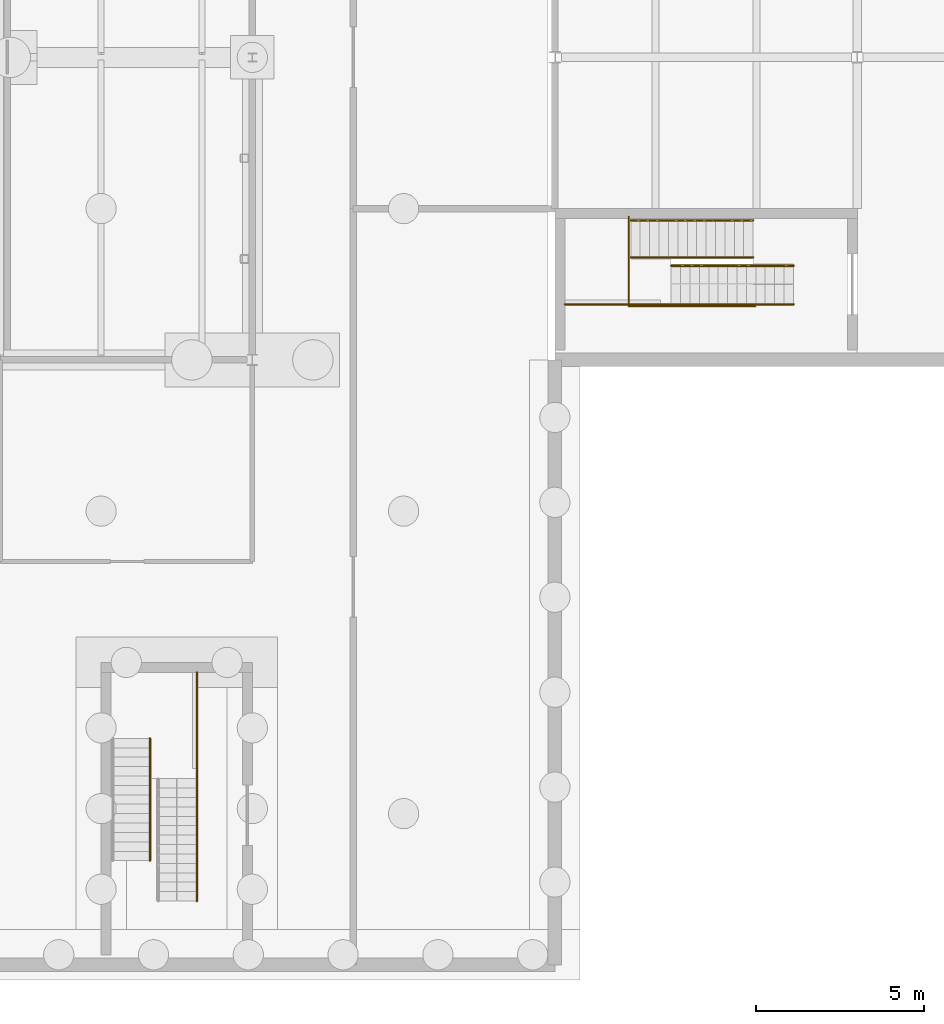
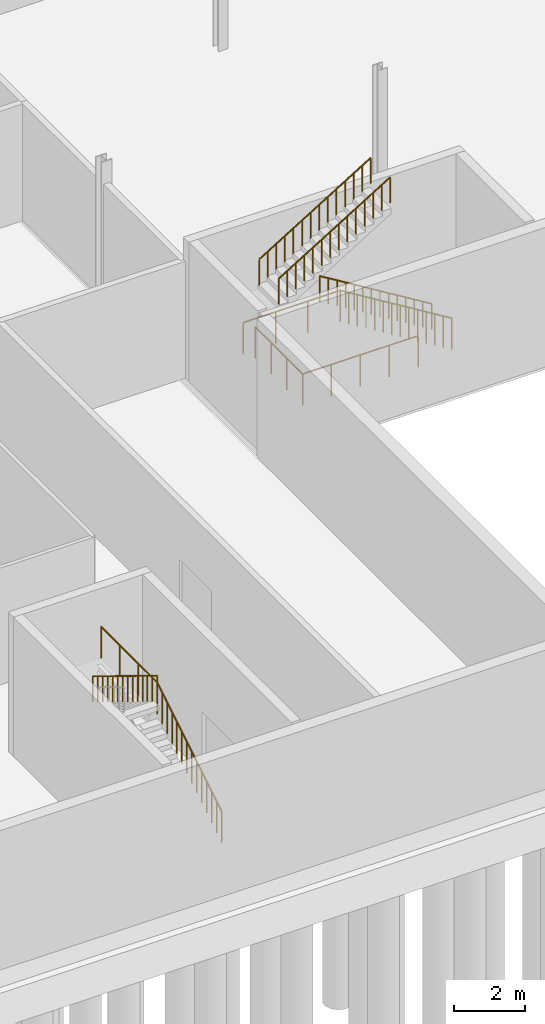
# One storey, part 24 of 31: 9 railings.
"""IFC4 building model written with IfcOpenShell, lengths in metres."""

from ifc_helpers import new_model, si_unit, direction, frame, origin, origin_2d, place, context, subcontext, project, spatial, circle, extrude, material, type_object, element, save


model = new_model("IFC4")

# Units and contexts
model_context = context("Model", 3, precision=1e-05, world=origin(), true_north=direction((0.0, 1.0)))
body_context = subcontext(model_context, "Body", "Model", "MODEL_VIEW")
ifc_project = project(units=[si_unit("LENGTHUNIT", "METRE"), si_unit("AREAUNIT", "SQUARE_METRE"), si_unit("VOLUMEUNIT", "CUBIC_METRE"), si_unit("PLANEANGLEUNIT", "RADIAN"), si_unit("MASSUNIT", "GRAM", prefix="KILO")], contexts=[model_context])

# Site, building, storey
site_placement = place(None, origin())
site = spatial("IfcSite", under=ifc_project, at=site_placement, CompositionType="ELEMENT")
building_placement = place(site_placement, origin())
building = spatial("IfcBuilding", under=site, at=building_placement, Name="Halyard Row Museum", CompositionType="ELEMENT")
storey_placement = place(building_placement, frame((0.0, 0.0, -4.800048828125)))
storey = spatial("IfcBuildingStorey", under=building, at=storey_placement, Name="B1", CompositionType="ELEMENT", Elevation=-4.800048828125)

# Railings
ifc_material_1 = material(Name="Steel Grade 300", Category="steel")
railing_type_1 = type_object("IfcRailingType", Name="Guard GR2 steel balustrade 1100", PredefinedType="GUARDRAIL", material=ifc_material_1)
railing_1_placement = place(storey_placement, frame((34.10009765625, 19.64990234375, 0.17138671875)))
element("IfcRailing", 1, at=railing_1_placement, inside=storey, type_object=railing_type_1, Name="Guard GR029", PredefinedType="GUARDRAIL", context=body_context, shape_type="SweptSolid", body=[
    extrude(circle(Radius=0.02392578125, at=origin_2d()), frame((0.0, 0.0, 1.076171875), z_axis=(-0.852601252411, 0.0, 0.522562057929), x_axis=(0.0, -1.0, 0.0)), (0.0, 0.0, 1.0), 0.328369140625),
    extrude(circle(Radius=0.02392578125, at=origin_2d()), frame((-0.280029296875, 0.0, 1.24755859375), z_axis=(-0.852932391421, 0.0, 0.522021393877), x_axis=(0.0, -1.0, 0.0)), (0.0, 0.0, 1.0), 0.328369140625),
    extrude(circle(Radius=0.02392578125, at=origin_2d()), frame((-0.56005859375, 0.0, 1.4189453125), z_axis=(-0.852932391421, 0.0, 0.522021393877), x_axis=(0.0, -1.0, 0.0)), (0.0, 0.0, 1.0), 0.328369140625),
    extrude(circle(Radius=0.02392578125, at=origin_2d()), frame((-0.840087890625, 0.0, 1.59033203125), z_axis=(-0.852932391421, 0.0, 0.522021393877), x_axis=(0.0, -1.0, 0.0)), (0.0, 0.0, 1.0), 0.328369140625),
    extrude(circle(Radius=0.02392578125, at=origin_2d()), frame((-1.1201171875, 0.0, 1.76171875), z_axis=(-0.852932391421, 0.0, 0.522021393877), x_axis=(0.0, -1.0, 0.0)), (0.0, 0.0, 1.0), 0.328369140625),
    extrude(circle(Radius=0.02392578125, at=origin_2d()), frame((-1.400146484375, 0.0, 1.93310546875), z_axis=(-0.852932391421, 0.0, 0.522021393877), x_axis=(0.0, -1.0, 0.0)), (0.0, 0.0, 1.0), 0.328369140625),
    extrude(circle(Radius=0.02392578125, at=origin_2d()), frame((-1.68017578125, 0.0, 2.1044921875), z_axis=(-0.852601252411, 0.0, 0.522562057929), x_axis=(0.0, -1.0, 0.0)), (0.0, 0.0, 1.0), 0.328369140625),
    extrude(circle(Radius=0.02392578125, at=origin_2d()), frame((-1.960205078125, 0.0, 2.2763671875), z_axis=(-0.852729557261, 0.0, 0.522352660731), x_axis=(0.0, -1.0, 0.0)), (0.0, 0.0, 1.0), 0.328125),
    extrude(circle(Radius=0.02392578125, at=origin_2d()), frame((-2.239990234375, 0.0, 2.44775390625), z_axis=(-0.852932391421, 0.0, 0.522021393877), x_axis=(0.0, -1.0, 0.0)), (0.0, 0.0, 1.0), 0.328369140625),
    extrude(circle(Radius=0.02392578125, at=origin_2d()), frame((-2.52001953125, 0.0, 2.619140625), z_axis=(-0.852932391421, 0.0, 0.522021393877), x_axis=(0.0, -1.0, 0.0)), (0.0, 0.0, 1.0), 0.328369140625),
    extrude(circle(Radius=0.02392578125, at=origin_2d()), frame((-2.800048828125, 0.0, 2.79052734375), z_axis=(-0.852932391421, 0.0, 0.522021393877), x_axis=(0.0, -1.0, 0.0)), (0.0, 0.0, 1.0), 0.328369140625),
    extrude(circle(Radius=0.02392578125, at=origin_2d()), frame((-3.080078125, 0.0, 2.9619140625), z_axis=(-0.852932391421, 0.0, 0.522021393877), x_axis=(0.0, -1.0, 0.0)), (0.0, 0.0, 1.0), 0.328369140625),
    extrude(circle(Radius=0.02392578125, at=origin_2d()), frame((-3.360107421875, 0.0, 3.13330078125), z_axis=(-0.852601252411, 0.0, 0.522562057929), x_axis=(0.0, -1.0, 0.0)), (0.0, 0.0, 1.0), 0.328369140625),
    extrude(circle(Radius=0.02099609375, at=origin_2d()), origin(), (0.0, 0.0, 1.0), 1.052001953125),
    extrude(circle(Radius=0.02099609375, at=origin_2d()), frame((-0.280029296875, 0.0, 0.171630859375)), (0.0, 0.0, 1.0), 1.052001953125),
    extrude(circle(Radius=0.02099609375, at=origin_2d()), frame((-0.56005859375, 0.0, 0.343017578125)), (0.0, 0.0, 1.0), 1.052001953125),
    extrude(circle(Radius=0.02099609375, at=origin_2d()), frame((-0.840087890625, 0.0, 0.514404296875)), (0.0, 0.0, 1.0), 1.052001953125),
    extrude(circle(Radius=0.02099609375, at=origin_2d()), frame((-1.1201171875, 0.0, 0.685791015625)), (0.0, 0.0, 1.0), 1.052001953125),
    extrude(circle(Radius=0.02099609375, at=origin_2d()), frame((-1.400146484375, 0.0, 0.857177734375)), (0.0, 0.0, 1.0), 1.052001953125),
    extrude(circle(Radius=0.02099609375, at=origin_2d()), frame((-1.68017578125, 0.0, 1.028564453125)), (0.0, 0.0, 1.0), 1.052001953125),
    extrude(circle(Radius=0.02099609375, at=origin_2d()), frame((-1.960205078125, 0.0, 1.2001953125)), (0.0, 0.0, 1.0), 1.052001953125),
    extrude(circle(Radius=0.02099609375, at=origin_2d()), frame((-2.239990234375, 0.0, 1.37158203125)), (0.0, 0.0, 1.0), 1.052001953125),
    extrude(circle(Radius=0.02099609375, at=origin_2d()), frame((-2.52001953125, 0.0, 1.54296875)), (0.0, 0.0, 1.0), 1.052001953125),
    extrude(circle(Radius=0.02099609375, at=origin_2d()), frame((-2.800048828125, 0.0, 1.71435546875)), (0.0, 0.0, 1.0), 1.052001953125),
    extrude(circle(Radius=0.02099609375, at=origin_2d()), frame((-3.080078125, 0.0, 1.8857421875)), (0.0, 0.0, 1.0), 1.052001953125),
    extrude(circle(Radius=0.02099609375, at=origin_2d()), frame((-3.360107421875, 0.0, 2.05712890625)), (0.0, 0.0, 1.0), 1.052001953125),
    extrude(circle(Radius=0.02099609375, at=origin_2d()), frame((-3.64013671875, 0.0, 2.228759765625)), (0.0, 0.0, 1.0), 1.052001953125),
])
railing_2_placement = place(storey_placement, frame((30.4599609375, 19.64990234375, 2.400146484375)))
element("IfcRailing", 2, at=railing_2_placement, inside=storey, type_object=railing_type_1, Name="Guard GR030", PredefinedType="GUARDRAIL", context=body_context, shape_type="SweptSolid", body=[
    extrude(circle(Radius=0.02392578125, at=origin_2d()), frame((0.0, 0.0, 1.076171875), z_axis=(-1.0, 0.0, 0.0), x_axis=(0.0, -1.0, 0.0)), (0.0, 0.0, 1.0), 3.159912109375),
    extrude(circle(Radius=0.02099609375, at=origin_2d()), origin(), (0.0, 0.0, 1.0), 1.052001953125),
    extrude(circle(Radius=0.02099609375, at=origin_2d()), frame((-1.05322265625, 0.0, 0.0)), (0.0, 0.0, 1.0), 1.052001953125),
    extrude(circle(Radius=0.02099609375, at=origin_2d()), frame((-2.106689453125, 0.0, 0.0)), (0.0, 0.0, 1.0), 1.052001953125),
    extrude(circle(Radius=0.02099609375, at=origin_2d()), frame((-3.159912109375, 0.0, 0.0)), (0.0, 0.0, 1.0), 1.052001953125),
])
railing_3_placement = place(storey_placement, frame((16.35009765625, 1.89990234375, 0.17138671875)))
element("IfcRailing", 3, at=railing_3_placement, inside=storey, type_object=railing_type_1, Name="Guard GR076", PredefinedType="GUARDRAIL", context=body_context, shape_type="SweptSolid", body=[
    extrude(circle(Radius=0.02392578125, at=origin_2d()), frame((0.0, 0.0, 1.076171875), z_axis=(0.0, 0.852601252411, 0.522562057929), x_axis=(-1.0, 0.0, 0.0)), (0.0, 0.0, 1.0), 0.328369140625),
    extrude(circle(Radius=0.02392578125, at=origin_2d()), frame((0.0, 0.280029296875, 1.24755859375), z_axis=(0.0, 0.852932391421, 0.522021393877), x_axis=(-1.0, 0.0, 0.0)), (0.0, 0.0, 1.0), 0.328369140625),
    extrude(circle(Radius=0.02392578125, at=origin_2d()), frame((0.0, 0.56005859375, 1.4189453125), z_axis=(0.0, 0.852932391421, 0.522021393877), x_axis=(-1.0, 0.0, 0.0)), (0.0, 0.0, 1.0), 0.328369140625),
    extrude(circle(Radius=0.02392578125, at=origin_2d()), frame((0.0, 0.840087890625, 1.59033203125), z_axis=(0.0, 0.852932391421, 0.522021393877), x_axis=(-1.0, 0.0, 0.0)), (0.0, 0.0, 1.0), 0.328369140625),
    extrude(circle(Radius=0.02392578125, at=origin_2d()), frame((0.0, 1.1201171875, 1.76171875), z_axis=(0.0, 0.852932391421, 0.522021393877), x_axis=(-1.0, 0.0, 0.0)), (0.0, 0.0, 1.0), 0.328369140625),
    extrude(circle(Radius=0.02392578125, at=origin_2d()), frame((0.0, 1.400146484375, 1.93310546875), z_axis=(0.0, 0.852932391421, 0.522021393877), x_axis=(-1.0, 0.0, 0.0)), (0.0, 0.0, 1.0), 0.328369140625),
    extrude(circle(Radius=0.02392578125, at=origin_2d()), frame((0.0, 1.68017578125, 2.1044921875), z_axis=(0.0, 0.852601252411, 0.522562057929), x_axis=(-1.0, 0.0, 0.0)), (0.0, 0.0, 1.0), 0.328369140625),
    extrude(circle(Radius=0.02392578125, at=origin_2d()), frame((0.0, 1.960205078125, 2.2763671875), z_axis=(0.0, 0.852729557261, 0.522352660731), x_axis=(-1.0, 0.0, 0.0)), (0.0, 0.0, 1.0), 0.328125),
    extrude(circle(Radius=0.02392578125, at=origin_2d()), frame((0.0, 2.239990234375, 2.44775390625), z_axis=(0.0, 0.852932391421, 0.522021393877), x_axis=(-1.0, 0.0, 0.0)), (0.0, 0.0, 1.0), 0.328369140625),
    extrude(circle(Radius=0.02392578125, at=origin_2d()), frame((0.0, 2.52001953125, 2.619140625), z_axis=(0.0, 0.852932391421, 0.522021393877), x_axis=(-1.0, 0.0, 0.0)), (0.0, 0.0, 1.0), 0.328369140625),
    extrude(circle(Radius=0.02392578125, at=origin_2d()), frame((0.0, 2.800048828125, 2.79052734375), z_axis=(0.0, 0.852932391421, 0.522021393877), x_axis=(-1.0, 0.0, 0.0)), (0.0, 0.0, 1.0), 0.328369140625),
    extrude(circle(Radius=0.02392578125, at=origin_2d()), frame((0.0, 3.080078125, 2.9619140625), z_axis=(0.0, 0.852932391421, 0.522021393877), x_axis=(-1.0, 0.0, 0.0)), (0.0, 0.0, 1.0), 0.328369140625),
    extrude(circle(Radius=0.02392578125, at=origin_2d()), frame((0.0, 3.360107421875, 3.13330078125), z_axis=(0.0, 0.852601252411, 0.522562057929), x_axis=(-1.0, 0.0, 0.0)), (0.0, 0.0, 1.0), 0.328369140625),
    extrude(circle(Radius=0.02099609375, at=origin_2d()), origin(), (0.0, 0.0, 1.0), 1.052001953125),
    extrude(circle(Radius=0.02099609375, at=origin_2d()), frame((0.0, 0.280029296875, 0.171630859375)), (0.0, 0.0, 1.0), 1.052001953125),
    extrude(circle(Radius=0.02099609375, at=origin_2d()), frame((0.0, 0.56005859375, 0.343017578125)), (0.0, 0.0, 1.0), 1.052001953125),
    extrude(circle(Radius=0.02099609375, at=origin_2d()), frame((0.0, 0.840087890625, 0.514404296875)), (0.0, 0.0, 1.0), 1.052001953125),
    extrude(circle(Radius=0.02099609375, at=origin_2d()), frame((0.0, 1.1201171875, 0.685791015625)), (0.0, 0.0, 1.0), 1.052001953125),
    extrude(circle(Radius=0.02099609375, at=origin_2d()), frame((0.0, 1.400146484375, 0.857177734375)), (0.0, 0.0, 1.0), 1.052001953125),
    extrude(circle(Radius=0.02099609375, at=origin_2d()), frame((0.0, 1.68017578125, 1.028564453125)), (0.0, 0.0, 1.0), 1.052001953125),
    extrude(circle(Radius=0.02099609375, at=origin_2d()), frame((0.0, 1.960205078125, 1.2001953125)), (0.0, 0.0, 1.0), 1.052001953125),
    extrude(circle(Radius=0.02099609375, at=origin_2d()), frame((0.0, 2.239990234375, 1.37158203125)), (0.0, 0.0, 1.0), 1.052001953125),
    extrude(circle(Radius=0.02099609375, at=origin_2d()), frame((0.0, 2.52001953125, 1.54296875)), (0.0, 0.0, 1.0), 1.052001953125),
    extrude(circle(Radius=0.02099609375, at=origin_2d()), frame((0.0, 2.800048828125, 1.71435546875)), (0.0, 0.0, 1.0), 1.052001953125),
    extrude(circle(Radius=0.02099609375, at=origin_2d()), frame((0.0, 3.080078125, 1.8857421875)), (0.0, 0.0, 1.0), 1.052001953125),
    extrude(circle(Radius=0.02099609375, at=origin_2d()), frame((0.0, 3.360107421875, 2.05712890625)), (0.0, 0.0, 1.0), 1.052001953125),
    extrude(circle(Radius=0.02099609375, at=origin_2d()), frame((0.0, 3.64013671875, 2.228759765625)), (0.0, 0.0, 1.0), 1.052001953125),
])
railing_4_placement = place(storey_placement, frame((16.35009765625, 5.5400390625, 2.400146484375)))
element("IfcRailing", 4, at=railing_4_placement, inside=storey, type_object=railing_type_1, Name="Guard GR077", PredefinedType="GUARDRAIL", context=body_context, shape_type="SweptSolid", body=[
    extrude(circle(Radius=0.02392578125, at=origin_2d()), frame((0.0, 0.0, 1.076171875), z_axis=(0.0, 1.0, 0.0), x_axis=(-1.0, 0.0, 0.0)), (0.0, 0.0, 1.0), 3.159912109375),
    extrude(circle(Radius=0.02099609375, at=origin_2d()), origin(), (0.0, 0.0, 1.0), 1.052001953125),
    extrude(circle(Radius=0.02099609375, at=origin_2d()), frame((0.0, 1.05322265625, 0.0)), (0.0, 0.0, 1.0), 1.052001953125),
    extrude(circle(Radius=0.02099609375, at=origin_2d()), frame((0.0, 2.106689453125, 0.0)), (0.0, 0.0, 1.0), 1.052001953125),
    extrude(circle(Radius=0.02099609375, at=origin_2d()), frame((0.0, 3.159912109375, 0.0)), (0.0, 0.0, 1.0), 1.052001953125),
])
railing_5_placement = place(storey_placement, frame((32.9599609375, 19.590087890625, 0.0)))
element("IfcRailing", 5, at=railing_5_placement, inside=storey, type_object=railing_type_1, Name="Guard GR150", PredefinedType="GUARDRAIL", context=body_context, shape_type="SweptSolid", body=[
    extrude(circle(Radius=0.02392578125, at=origin_2d()), frame((0.0, 0.0, 1.076171875), z_axis=(-1.0, 0.0, 0.0), x_axis=(0.0, -1.0, 0.0)), (0.0, 0.0, 1.0), 3.760009765625),
    extrude(circle(Radius=0.02392578125, at=origin_2d()), frame((-3.760009765625, 0.0, 1.076171875), z_axis=(0.0, 1.0, 0.0), x_axis=(-1.0, 0.0, 0.0)), (0.0, 0.0, 1.0), 2.669921875),
    extrude(circle(Radius=0.02099609375, at=origin_2d()), origin(), (0.0, 0.0, 1.0), 1.052001953125),
    extrude(circle(Radius=0.02099609375, at=origin_2d()), frame((-0.93994140625, 0.0, 0.0)), (0.0, 0.0, 1.0), 1.052001953125),
    extrude(circle(Radius=0.02099609375, at=origin_2d()), frame((-1.8798828125, 0.0, 0.0)), (0.0, 0.0, 1.0), 1.052001953125),
    extrude(circle(Radius=0.02099609375, at=origin_2d()), frame((-2.820068359375, 0.0, 0.0)), (0.0, 0.0, 1.0), 1.052001953125),
    extrude(circle(Radius=0.02099609375, at=origin_2d()), frame((-3.760009765625, 0.0, 0.0)), (0.0, 0.0, 1.0), 1.052001953125),
    extrude(circle(Radius=0.02099609375, at=origin_2d()), frame((-3.760009765625, 0.889892578125, 0.0)), (0.0, 0.0, 1.0), 1.052001953125),
    extrude(circle(Radius=0.02099609375, at=origin_2d()), frame((-3.760009765625, 1.780029296875, 0.0)), (0.0, 0.0, 1.0), 1.052001953125),
    extrude(circle(Radius=0.02099609375, at=origin_2d()), frame((-3.760009765625, 2.669921875, 0.0)), (0.0, 0.0, 1.0), 1.052001953125),
])
ifc_material_2 = material(Name="Steel Grade 300", Category="steel")
railing_type_2 = type_object("IfcRailingType", Name="Handrail HR2 steel 900", PredefinedType="HANDRAIL", material=ifc_material_2)
railing_6_placement = place(storey_placement, frame((34.10009765625, 20.800048828125, 0.17138671875)))
element("IfcRailing", 6, at=railing_6_placement, inside=storey, type_object=railing_type_2, Name="Handrail HR043", PredefinedType="HANDRAIL", context=body_context, shape_type="SweptSolid", body=[
    extrude(circle(Radius=0.02392578125, at=origin_2d()), frame((0.0, 0.0, 0.8759765625), z_axis=(-0.852601252411, 0.0, 0.522562057929), x_axis=(0.0, -1.0, 0.0)), (0.0, 0.0, 1.0), 0.328369140625),
    extrude(circle(Radius=0.02392578125, at=origin_2d()), frame((-0.280029296875, 0.0, 1.04736328125), z_axis=(-0.852932391421, 0.0, 0.522021393877), x_axis=(0.0, -1.0, 0.0)), (0.0, 0.0, 1.0), 0.328369140625),
    extrude(circle(Radius=0.02392578125, at=origin_2d()), frame((-0.56005859375, 0.0, 1.21875), z_axis=(-0.852932391421, 0.0, 0.522021393877), x_axis=(0.0, -1.0, 0.0)), (0.0, 0.0, 1.0), 0.328369140625),
    extrude(circle(Radius=0.02392578125, at=origin_2d()), frame((-0.840087890625, 0.0, 1.39013671875), z_axis=(-0.852932391421, 0.0, 0.522021393877), x_axis=(0.0, -1.0, 0.0)), (0.0, 0.0, 1.0), 0.328369140625),
    extrude(circle(Radius=0.02392578125, at=origin_2d()), frame((-1.1201171875, 0.0, 1.5615234375), z_axis=(-0.852932391421, 0.0, 0.522021393877), x_axis=(0.0, -1.0, 0.0)), (0.0, 0.0, 1.0), 0.328369140625),
    extrude(circle(Radius=0.02392578125, at=origin_2d()), frame((-1.400146484375, 0.0, 1.73291015625), z_axis=(-0.852932391421, 0.0, 0.522021393877), x_axis=(0.0, -1.0, 0.0)), (0.0, 0.0, 1.0), 0.328369140625),
    extrude(circle(Radius=0.02392578125, at=origin_2d()), frame((-1.68017578125, 0.0, 1.904296875), z_axis=(-0.852601252411, 0.0, 0.522562057929), x_axis=(0.0, -1.0, 0.0)), (0.0, 0.0, 1.0), 0.328369140625),
    extrude(circle(Radius=0.02392578125, at=origin_2d()), frame((-1.960205078125, 0.0, 2.076171875), z_axis=(-0.852729557261, 0.0, 0.522352660731), x_axis=(0.0, -1.0, 0.0)), (0.0, 0.0, 1.0), 0.328125),
    extrude(circle(Radius=0.02392578125, at=origin_2d()), frame((-2.239990234375, 0.0, 2.24755859375), z_axis=(-0.852932391421, 0.0, 0.522021393877), x_axis=(0.0, -1.0, 0.0)), (0.0, 0.0, 1.0), 0.328369140625),
    extrude(circle(Radius=0.02392578125, at=origin_2d()), frame((-2.52001953125, 0.0, 2.4189453125), z_axis=(-0.852932391421, 0.0, 0.522021393877), x_axis=(0.0, -1.0, 0.0)), (0.0, 0.0, 1.0), 0.328369140625),
    extrude(circle(Radius=0.02392578125, at=origin_2d()), frame((-2.800048828125, 0.0, 2.59033203125), z_axis=(-0.852932391421, 0.0, 0.522021393877), x_axis=(0.0, -1.0, 0.0)), (0.0, 0.0, 1.0), 0.328369140625),
    extrude(circle(Radius=0.02392578125, at=origin_2d()), frame((-3.080078125, 0.0, 2.76171875), z_axis=(-0.852932391421, 0.0, 0.522021393877), x_axis=(0.0, -1.0, 0.0)), (0.0, 0.0, 1.0), 0.328369140625),
    extrude(circle(Radius=0.02392578125, at=origin_2d()), frame((-3.360107421875, 0.0, 2.93310546875), z_axis=(-0.852601252411, 0.0, 0.522562057929), x_axis=(0.0, -1.0, 0.0)), (0.0, 0.0, 1.0), 0.328369140625),
    extrude(circle(Radius=0.02099609375, at=origin_2d()), origin(), (0.0, 0.0, 1.0), 0.851806640625),
    extrude(circle(Radius=0.02099609375, at=origin_2d()), frame((-0.280029296875, 0.0, 0.171630859375)), (0.0, 0.0, 1.0), 0.851806640625),
    extrude(circle(Radius=0.02099609375, at=origin_2d()), frame((-0.56005859375, 0.0, 0.343017578125)), (0.0, 0.0, 1.0), 0.851806640625),
    extrude(circle(Radius=0.02099609375, at=origin_2d()), frame((-0.840087890625, 0.0, 0.514404296875)), (0.0, 0.0, 1.0), 0.851806640625),
    extrude(circle(Radius=0.02099609375, at=origin_2d()), frame((-1.1201171875, 0.0, 0.685791015625)), (0.0, 0.0, 1.0), 0.851806640625),
    extrude(circle(Radius=0.02099609375, at=origin_2d()), frame((-1.400146484375, 0.0, 0.857177734375)), (0.0, 0.0, 1.0), 0.851806640625),
    extrude(circle(Radius=0.02099609375, at=origin_2d()), frame((-1.68017578125, 0.0, 1.028564453125)), (0.0, 0.0, 1.0), 0.851806640625),
    extrude(circle(Radius=0.02099609375, at=origin_2d()), frame((-1.960205078125, 0.0, 1.2001953125)), (0.0, 0.0, 1.0), 0.851806640625),
    extrude(circle(Radius=0.02099609375, at=origin_2d()), frame((-2.239990234375, 0.0, 1.37158203125)), (0.0, 0.0, 1.0), 0.851806640625),
    extrude(circle(Radius=0.02099609375, at=origin_2d()), frame((-2.52001953125, 0.0, 1.54296875)), (0.0, 0.0, 1.0), 0.851806640625),
    extrude(circle(Radius=0.02099609375, at=origin_2d()), frame((-2.800048828125, 0.0, 1.71435546875)), (0.0, 0.0, 1.0), 0.851806640625),
    extrude(circle(Radius=0.02099609375, at=origin_2d()), frame((-3.080078125, 0.0, 1.8857421875)), (0.0, 0.0, 1.0), 0.851806640625),
    extrude(circle(Radius=0.02099609375, at=origin_2d()), frame((-3.360107421875, 0.0, 2.05712890625)), (0.0, 0.0, 1.0), 0.851806640625),
    extrude(circle(Radius=0.02099609375, at=origin_2d()), frame((-3.64013671875, 0.0, 2.228759765625)), (0.0, 0.0, 1.0), 0.851806640625),
])
railing_7_placement = place(storey_placement, frame((29.260009765625, 22.14990234375, 2.571533203125)))
element("IfcRailing", 7, at=railing_7_placement, inside=storey, type_object=railing_type_2, Name="Handrail HR044", PredefinedType="HANDRAIL", context=body_context, shape_type="SweptSolid", body=[
    extrude(circle(Radius=0.02392578125, at=origin_2d()), frame((0.0, 0.0, 0.8759765625), z_axis=(0.852932391421, 0.0, 0.522021393877), x_axis=(0.0, 1.0, 0.0)), (0.0, 0.0, 1.0), 0.328369140625),
    extrude(circle(Radius=0.02392578125, at=origin_2d()), frame((0.280029296875, 0.0, 1.04736328125), z_axis=(0.852932391421, 0.0, 0.522021393877), x_axis=(0.0, 1.0, 0.0)), (0.0, 0.0, 1.0), 0.328369140625),
    extrude(circle(Radius=0.02392578125, at=origin_2d()), frame((0.56005859375, 0.0, 1.21875), z_axis=(0.852932391421, 0.0, 0.522021393877), x_axis=(0.0, 1.0, 0.0)), (0.0, 0.0, 1.0), 0.328369140625),
    extrude(circle(Radius=0.02392578125, at=origin_2d()), frame((0.840087890625, 0.0, 1.39013671875), z_axis=(0.852729557261, 0.0, 0.522352660731), x_axis=(0.0, 1.0, 0.0)), (0.0, 0.0, 1.0), 0.328125),
    extrude(circle(Radius=0.02392578125, at=origin_2d()), frame((1.119873046875, 0.0, 1.5615234375), z_axis=(0.852601252411, 0.0, 0.522562057929), x_axis=(0.0, 1.0, 0.0)), (0.0, 0.0, 1.0), 0.328369140625),
    extrude(circle(Radius=0.02392578125, at=origin_2d()), frame((1.39990234375, 0.0, 1.73291015625), z_axis=(0.852932391421, 0.0, 0.522021393877), x_axis=(0.0, 1.0, 0.0)), (0.0, 0.0, 1.0), 0.328369140625),
    extrude(circle(Radius=0.02392578125, at=origin_2d()), frame((1.679931640625, 0.0, 1.904296875), z_axis=(0.852932391421, 0.0, 0.522021393877), x_axis=(0.0, 1.0, 0.0)), (0.0, 0.0, 1.0), 0.328369140625),
    extrude(circle(Radius=0.02392578125, at=origin_2d()), frame((1.9599609375, 0.0, 2.07568359375), z_axis=(0.852932391421, 0.0, 0.522021393877), x_axis=(0.0, 1.0, 0.0)), (0.0, 0.0, 1.0), 0.328369140625),
    extrude(circle(Radius=0.02392578125, at=origin_2d()), frame((2.239990234375, 0.0, 2.2470703125), z_axis=(0.852932391421, 0.0, 0.522021393877), x_axis=(0.0, 1.0, 0.0)), (0.0, 0.0, 1.0), 0.328369140625),
    extrude(circle(Radius=0.02392578125, at=origin_2d()), frame((2.52001953125, 0.0, 2.41845703125), z_axis=(0.852932391421, 0.0, 0.522021393877), x_axis=(0.0, 1.0, 0.0)), (0.0, 0.0, 1.0), 0.328369140625),
    extrude(circle(Radius=0.02392578125, at=origin_2d()), frame((2.800048828125, 0.0, 2.58984375), z_axis=(0.852601252411, 0.0, 0.522562057929), x_axis=(0.0, 1.0, 0.0)), (0.0, 0.0, 1.0), 0.328369140625),
    extrude(circle(Radius=0.02392578125, at=origin_2d()), frame((3.080078125, 0.0, 2.76171875), z_axis=(0.852932391421, 0.0, 0.522021393877), x_axis=(0.0, 1.0, 0.0)), (0.0, 0.0, 1.0), 0.328369140625),
    extrude(circle(Radius=0.02392578125, at=origin_2d()), frame((3.360107421875, 0.0, 2.93310546875), z_axis=(0.852729557261, 0.0, 0.522352660731), x_axis=(0.0, 1.0, 0.0)), (0.0, 0.0, 1.0), 0.328125),
    extrude(circle(Radius=0.02099609375, at=origin_2d()), origin(), (0.0, 0.0, 1.0), 0.851806640625),
    extrude(circle(Radius=0.02099609375, at=origin_2d()), frame((0.280029296875, 0.0, 0.17138671875)), (0.0, 0.0, 1.0), 0.851806640625),
    extrude(circle(Radius=0.02099609375, at=origin_2d()), frame((0.56005859375, 0.0, 0.3427734375)), (0.0, 0.0, 1.0), 0.851806640625),
    extrude(circle(Radius=0.02099609375, at=origin_2d()), frame((0.840087890625, 0.0, 0.51416015625)), (0.0, 0.0, 1.0), 0.851806640625),
    extrude(circle(Radius=0.02099609375, at=origin_2d()), frame((1.119873046875, 0.0, 0.685546875)), (0.0, 0.0, 1.0), 0.851806640625),
    extrude(circle(Radius=0.02099609375, at=origin_2d()), frame((1.39990234375, 0.0, 0.857177734375)), (0.0, 0.0, 1.0), 0.851806640625),
    extrude(circle(Radius=0.02099609375, at=origin_2d()), frame((1.679931640625, 0.0, 1.028564453125)), (0.0, 0.0, 1.0), 0.851806640625),
    extrude(circle(Radius=0.02099609375, at=origin_2d()), frame((1.9599609375, 0.0, 1.199951171875)), (0.0, 0.0, 1.0), 0.851806640625),
    extrude(circle(Radius=0.02099609375, at=origin_2d()), frame((2.239990234375, 0.0, 1.371337890625)), (0.0, 0.0, 1.0), 0.851806640625),
    extrude(circle(Radius=0.02099609375, at=origin_2d()), frame((2.52001953125, 0.0, 1.542724609375)), (0.0, 0.0, 1.0), 0.851806640625),
    extrude(circle(Radius=0.02099609375, at=origin_2d()), frame((2.800048828125, 0.0, 1.714111328125)), (0.0, 0.0, 1.0), 0.851806640625),
    extrude(circle(Radius=0.02099609375, at=origin_2d()), frame((3.080078125, 0.0, 1.8857421875)), (0.0, 0.0, 1.0), 0.851806640625),
    extrude(circle(Radius=0.02099609375, at=origin_2d()), frame((3.360107421875, 0.0, 2.05712890625)), (0.0, 0.0, 1.0), 0.851806640625),
    extrude(circle(Radius=0.02099609375, at=origin_2d()), frame((3.639892578125, 0.0, 2.228515625)), (0.0, 0.0, 1.0), 0.851806640625),
])
railing_8_placement = place(storey_placement, frame((29.260009765625, 21.050048828125, 2.571533203125)))
element("IfcRailing", 8, at=railing_8_placement, inside=storey, type_object=railing_type_2, Name="Handrail HR045", PredefinedType="HANDRAIL", context=body_context, shape_type="SweptSolid", body=[
    extrude(circle(Radius=0.02392578125, at=origin_2d()), frame((0.0, 0.0, 0.8759765625), z_axis=(0.852932391421, 0.0, 0.522021393877), x_axis=(0.0, 1.0, 0.0)), (0.0, 0.0, 1.0), 0.328369140625),
    extrude(circle(Radius=0.02392578125, at=origin_2d()), frame((0.280029296875, 0.0, 1.04736328125), z_axis=(0.852932391421, 0.0, 0.522021393877), x_axis=(0.0, 1.0, 0.0)), (0.0, 0.0, 1.0), 0.328369140625),
    extrude(circle(Radius=0.02392578125, at=origin_2d()), frame((0.56005859375, 0.0, 1.21875), z_axis=(0.852932391421, 0.0, 0.522021393877), x_axis=(0.0, 1.0, 0.0)), (0.0, 0.0, 1.0), 0.328369140625),
    extrude(circle(Radius=0.02392578125, at=origin_2d()), frame((0.840087890625, 0.0, 1.39013671875), z_axis=(0.852729557261, 0.0, 0.522352660731), x_axis=(0.0, 1.0, 0.0)), (0.0, 0.0, 1.0), 0.328125),
    extrude(circle(Radius=0.02392578125, at=origin_2d()), frame((1.119873046875, 0.0, 1.5615234375), z_axis=(0.852601252411, 0.0, 0.522562057929), x_axis=(0.0, 1.0, 0.0)), (0.0, 0.0, 1.0), 0.328369140625),
    extrude(circle(Radius=0.02392578125, at=origin_2d()), frame((1.39990234375, 0.0, 1.73291015625), z_axis=(0.852932391421, 0.0, 0.522021393877), x_axis=(0.0, 1.0, 0.0)), (0.0, 0.0, 1.0), 0.328369140625),
    extrude(circle(Radius=0.02392578125, at=origin_2d()), frame((1.679931640625, 0.0, 1.904296875), z_axis=(0.852932391421, 0.0, 0.522021393877), x_axis=(0.0, 1.0, 0.0)), (0.0, 0.0, 1.0), 0.328369140625),
    extrude(circle(Radius=0.02392578125, at=origin_2d()), frame((1.9599609375, 0.0, 2.07568359375), z_axis=(0.852932391421, 0.0, 0.522021393877), x_axis=(0.0, 1.0, 0.0)), (0.0, 0.0, 1.0), 0.328369140625),
    extrude(circle(Radius=0.02392578125, at=origin_2d()), frame((2.239990234375, 0.0, 2.2470703125), z_axis=(0.852932391421, 0.0, 0.522021393877), x_axis=(0.0, 1.0, 0.0)), (0.0, 0.0, 1.0), 0.328369140625),
    extrude(circle(Radius=0.02392578125, at=origin_2d()), frame((2.52001953125, 0.0, 2.41845703125), z_axis=(0.852932391421, 0.0, 0.522021393877), x_axis=(0.0, 1.0, 0.0)), (0.0, 0.0, 1.0), 0.328369140625),
    extrude(circle(Radius=0.02392578125, at=origin_2d()), frame((2.800048828125, 0.0, 2.58984375), z_axis=(0.852601252411, 0.0, 0.522562057929), x_axis=(0.0, 1.0, 0.0)), (0.0, 0.0, 1.0), 0.328369140625),
    extrude(circle(Radius=0.02392578125, at=origin_2d()), frame((3.080078125, 0.0, 2.76171875), z_axis=(0.852932391421, 0.0, 0.522021393877), x_axis=(0.0, 1.0, 0.0)), (0.0, 0.0, 1.0), 0.328369140625),
    extrude(circle(Radius=0.02392578125, at=origin_2d()), frame((3.360107421875, 0.0, 2.93310546875), z_axis=(0.852729557261, 0.0, 0.522352660731), x_axis=(0.0, 1.0, 0.0)), (0.0, 0.0, 1.0), 0.328125),
    extrude(circle(Radius=0.02099609375, at=origin_2d()), origin(), (0.0, 0.0, 1.0), 0.851806640625),
    extrude(circle(Radius=0.02099609375, at=origin_2d()), frame((0.280029296875, 0.0, 0.17138671875)), (0.0, 0.0, 1.0), 0.851806640625),
    extrude(circle(Radius=0.02099609375, at=origin_2d()), frame((0.56005859375, 0.0, 0.3427734375)), (0.0, 0.0, 1.0), 0.851806640625),
    extrude(circle(Radius=0.02099609375, at=origin_2d()), frame((0.840087890625, 0.0, 0.51416015625)), (0.0, 0.0, 1.0), 0.851806640625),
    extrude(circle(Radius=0.02099609375, at=origin_2d()), frame((1.119873046875, 0.0, 0.685546875)), (0.0, 0.0, 1.0), 0.851806640625),
    extrude(circle(Radius=0.02099609375, at=origin_2d()), frame((1.39990234375, 0.0, 0.857177734375)), (0.0, 0.0, 1.0), 0.851806640625),
    extrude(circle(Radius=0.02099609375, at=origin_2d()), frame((1.679931640625, 0.0, 1.028564453125)), (0.0, 0.0, 1.0), 0.851806640625),
    extrude(circle(Radius=0.02099609375, at=origin_2d()), frame((1.9599609375, 0.0, 1.199951171875)), (0.0, 0.0, 1.0), 0.851806640625),
    extrude(circle(Radius=0.02099609375, at=origin_2d()), frame((2.239990234375, 0.0, 1.371337890625)), (0.0, 0.0, 1.0), 0.851806640625),
    extrude(circle(Radius=0.02099609375, at=origin_2d()), frame((2.52001953125, 0.0, 1.542724609375)), (0.0, 0.0, 1.0), 0.851806640625),
    extrude(circle(Radius=0.02099609375, at=origin_2d()), frame((2.800048828125, 0.0, 1.714111328125)), (0.0, 0.0, 1.0), 0.851806640625),
    extrude(circle(Radius=0.02099609375, at=origin_2d()), frame((3.080078125, 0.0, 1.8857421875)), (0.0, 0.0, 1.0), 0.851806640625),
    extrude(circle(Radius=0.02099609375, at=origin_2d()), frame((3.360107421875, 0.0, 2.05712890625)), (0.0, 0.0, 1.0), 0.851806640625),
    extrude(circle(Radius=0.02099609375, at=origin_2d()), frame((3.639892578125, 0.0, 2.228515625)), (0.0, 0.0, 1.0), 0.851806640625),
])
railing_9_placement = place(storey_placement, frame((14.949951171875, 6.739990234375, 2.571533203125)))
element("IfcRailing", 9, at=railing_9_placement, inside=storey, type_object=railing_type_2, Name="Handrail HR111", PredefinedType="HANDRAIL", context=body_context, shape_type="SweptSolid", body=[
    extrude(circle(Radius=0.02392578125, at=origin_2d()), frame((0.0, 0.0, 0.8759765625), z_axis=(0.0, -0.852932391421, 0.522021393877), x_axis=(1.0, 0.0, 0.0)), (0.0, 0.0, 1.0), 0.328369140625),
    extrude(circle(Radius=0.02392578125, at=origin_2d()), frame((0.0, -0.280029296875, 1.04736328125), z_axis=(0.0, -0.852932391421, 0.522021393877), x_axis=(1.0, 0.0, 0.0)), (0.0, 0.0, 1.0), 0.328369140625),
    extrude(circle(Radius=0.02392578125, at=origin_2d()), frame((0.0, -0.56005859375, 1.21875), z_axis=(0.0, -0.852932391421, 0.522021393877), x_axis=(1.0, 0.0, 0.0)), (0.0, 0.0, 1.0), 0.328369140625),
    extrude(circle(Radius=0.02392578125, at=origin_2d()), frame((0.0, -0.840087890625, 1.39013671875), z_axis=(0.0, -0.852729557261, 0.522352660731), x_axis=(1.0, 0.0, 0.0)), (0.0, 0.0, 1.0), 0.328125),
    extrude(circle(Radius=0.02392578125, at=origin_2d()), frame((0.0, -1.119873046875, 1.5615234375), z_axis=(0.0, -0.852601252411, 0.522562057929), x_axis=(1.0, 0.0, 0.0)), (0.0, 0.0, 1.0), 0.328369140625),
    extrude(circle(Radius=0.02392578125, at=origin_2d()), frame((0.0, -1.39990234375, 1.73291015625), z_axis=(0.0, -0.852932391421, 0.522021393877), x_axis=(1.0, 0.0, 0.0)), (0.0, 0.0, 1.0), 0.328369140625),
    extrude(circle(Radius=0.02392578125, at=origin_2d()), frame((0.0, -1.679931640625, 1.904296875), z_axis=(0.0, -0.852932391421, 0.522021393877), x_axis=(1.0, 0.0, 0.0)), (0.0, 0.0, 1.0), 0.328369140625),
    extrude(circle(Radius=0.02392578125, at=origin_2d()), frame((0.0, -1.9599609375, 2.07568359375), z_axis=(0.0, -0.852932391421, 0.522021393877), x_axis=(1.0, 0.0, 0.0)), (0.0, 0.0, 1.0), 0.328369140625),
    extrude(circle(Radius=0.02392578125, at=origin_2d()), frame((0.0, -2.239990234375, 2.2470703125), z_axis=(0.0, -0.852932391421, 0.522021393877), x_axis=(1.0, 0.0, 0.0)), (0.0, 0.0, 1.0), 0.328369140625),
    extrude(circle(Radius=0.02392578125, at=origin_2d()), frame((0.0, -2.52001953125, 2.41845703125), z_axis=(0.0, -0.852932391421, 0.522021393877), x_axis=(1.0, 0.0, 0.0)), (0.0, 0.0, 1.0), 0.328369140625),
    extrude(circle(Radius=0.02392578125, at=origin_2d()), frame((0.0, -2.800048828125, 2.58984375), z_axis=(0.0, -0.852601252411, 0.522562057929), x_axis=(1.0, 0.0, 0.0)), (0.0, 0.0, 1.0), 0.328369140625),
    extrude(circle(Radius=0.02392578125, at=origin_2d()), frame((0.0, -3.080078125, 2.76171875), z_axis=(0.0, -0.852932391421, 0.522021393877), x_axis=(1.0, 0.0, 0.0)), (0.0, 0.0, 1.0), 0.328369140625),
    extrude(circle(Radius=0.02392578125, at=origin_2d()), frame((0.0, -3.360107421875, 2.93310546875), z_axis=(0.0, -0.852729557261, 0.522352660731), x_axis=(1.0, 0.0, 0.0)), (0.0, 0.0, 1.0), 0.328125),
    extrude(circle(Radius=0.02099609375, at=origin_2d()), origin(), (0.0, 0.0, 1.0), 0.851806640625),
    extrude(circle(Radius=0.02099609375, at=origin_2d()), frame((0.0, -0.280029296875, 0.17138671875)), (0.0, 0.0, 1.0), 0.851806640625),
    extrude(circle(Radius=0.02099609375, at=origin_2d()), frame((0.0, -0.56005859375, 0.3427734375)), (0.0, 0.0, 1.0), 0.851806640625),
    extrude(circle(Radius=0.02099609375, at=origin_2d()), frame((0.0, -0.840087890625, 0.51416015625)), (0.0, 0.0, 1.0), 0.851806640625),
    extrude(circle(Radius=0.02099609375, at=origin_2d()), frame((0.0, -1.119873046875, 0.685546875)), (0.0, 0.0, 1.0), 0.851806640625),
    extrude(circle(Radius=0.02099609375, at=origin_2d()), frame((0.0, -1.39990234375, 0.857177734375)), (0.0, 0.0, 1.0), 0.851806640625),
    extrude(circle(Radius=0.02099609375, at=origin_2d()), frame((0.0, -1.679931640625, 1.028564453125)), (0.0, 0.0, 1.0), 0.851806640625),
    extrude(circle(Radius=0.02099609375, at=origin_2d()), frame((0.0, -1.9599609375, 1.199951171875)), (0.0, 0.0, 1.0), 0.851806640625),
    extrude(circle(Radius=0.02099609375, at=origin_2d()), frame((0.0, -2.239990234375, 1.371337890625)), (0.0, 0.0, 1.0), 0.851806640625),
    extrude(circle(Radius=0.02099609375, at=origin_2d()), frame((0.0, -2.52001953125, 1.542724609375)), (0.0, 0.0, 1.0), 0.851806640625),
    extrude(circle(Radius=0.02099609375, at=origin_2d()), frame((0.0, -2.800048828125, 1.714111328125)), (0.0, 0.0, 1.0), 0.851806640625),
    extrude(circle(Radius=0.02099609375, at=origin_2d()), frame((0.0, -3.080078125, 1.8857421875)), (0.0, 0.0, 1.0), 0.851806640625),
    extrude(circle(Radius=0.02099609375, at=origin_2d()), frame((0.0, -3.360107421875, 2.05712890625)), (0.0, 0.0, 1.0), 0.851806640625),
    extrude(circle(Radius=0.02099609375, at=origin_2d()), frame((0.0, -3.639892578125, 2.228515625)), (0.0, 0.0, 1.0), 0.851806640625),
])

save(model, "model.ifc")
